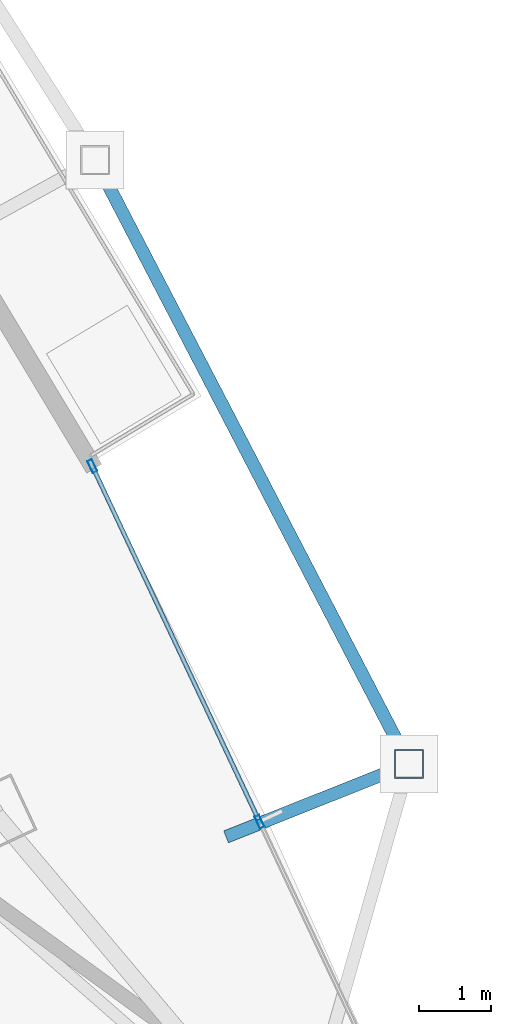
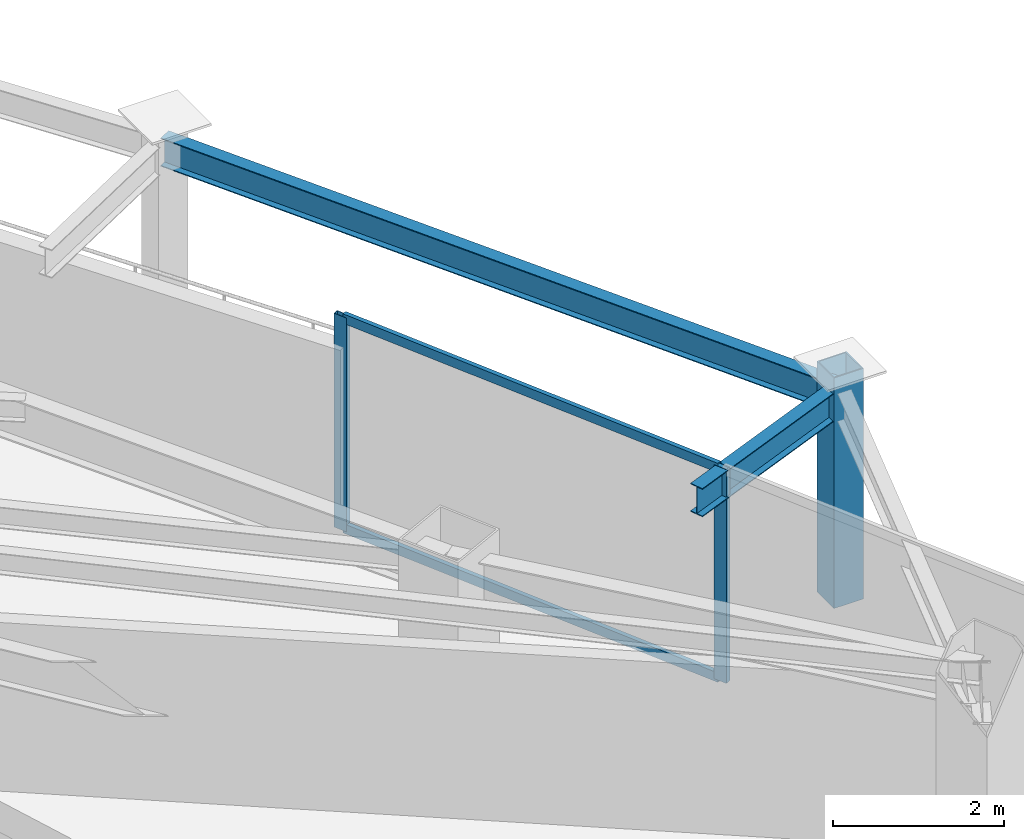
# One storey, part 16 of 29: 5 members, 2 beams, 1 element without a shape of its own.
"""IFC4 building model written with IfcOpenShell, lengths in metres."""

from ifc_helpers import new_model, si_unit, direction, frame, origin, origin_2d, place, context, subcontext, project, spatial, hollow_rectangle, i_section, extrude, material, layer, layer_set, material_profile, profile_set, type_object, element, aggregate, save


model = new_model("IFC4")

# Units and contexts
model_context = context("Model", 3, precision=1e-05, world=origin(), true_north=direction((0.0, 1.0)))
body_context = subcontext(model_context, "Body", "Model", "MODEL_VIEW")
ifc_project = project(units=[si_unit("LENGTHUNIT", "METRE"), si_unit("AREAUNIT", "SQUARE_METRE"), si_unit("VOLUMEUNIT", "CUBIC_METRE"), si_unit("PLANEANGLEUNIT", "RADIAN"), si_unit("MASSUNIT", "GRAM", prefix="KILO")], contexts=[model_context])

# Site, building, storey
site_placement = place(None, origin())
site = spatial("IfcSite", under=ifc_project, at=site_placement, CompositionType="ELEMENT")
building_placement = place(site_placement, origin())
building = spatial("IfcBuilding", under=site, at=building_placement, Name="Orvanel Arch Residences", CompositionType="ELEMENT")
storey_placement = place(building_placement, frame((0.0, 0.0, 167.14990234375)))
storey = spatial("IfcBuildingStorey", under=building, at=storey_placement, Name="L47", CompositionType="ELEMENT", Elevation=167.14990234375)

# Curtain wall, members
ifc_material_1 = material(Name="Bronze-anodised aluminium AA6063-T6", Category="aluminium")
ifc_layer = layer(ifc_material_1, 0.179931640625)
ifc_layer_set = layer_set([ifc_layer], Name="Bronze-anodised aluminium AA6063-T6")
curtain_wall_type = type_object("IfcCurtainWallType", Name="CW3-MID-SYS", PredefinedType="NOTDEFINED", material=ifc_layer_set)
curtain_wall_placement = place(storey_placement, origin())
curtain_wall = element("IfcCurtainWall", 1, at=curtain_wall_placement, inside=storey, type_object=curtain_wall_type, Name="L47 CW3-MID-SYS Unitised Curtain Wall", PredefinedType="NOTDEFINED")
ifc_material_profile_1 = material_profile(ifc_material_1, hollow_rectangle(XDim=0.070068359375, YDim=0.179931640625, WallThickness=0.00439453125, at=origin_2d()), Name="ALU180x70x4.5")
ifc_profile_set_1 = profile_set([ifc_material_profile_1], Name="Bronze-anodised aluminium AA6063-T6")
member_type_1 = type_object("IfcMemberType", Name="MUL-180x70", PredefinedType="MULLION", material=ifc_profile_set_1)
member_1_placement = place(storey_placement, frame((53.26904296875, 19.5458984375, 0.0), z_axis=(0.0, 0.0, 1.0), x_axis=(-0.904972224309, -0.42547064908, 0.0)))
member_1 = element("IfcMember", 2, at=member_1_placement, type_object=member_type_1, Name="CW-S3 mullion 2", PredefinedType="MULLION", context=body_context, shape_type="SweptSolid", body=[
    extrude(hollow_rectangle(XDim=0.070068359375, YDim=0.179931640625, WallThickness=0.00439453125, at=origin_2d()), origin(), (0.0, 0.0, 1.0), 3.06005859375),
])
member_2_placement = place(storey_placement, frame((50.9609375, 24.455322265625, 0.0), z_axis=(0.0, 0.0, 1.0), x_axis=(-0.904972224309, -0.42547064908, 0.0)))
member_2 = element("IfcMember", 3, at=member_2_placement, type_object=member_type_1, Name="CW-S3 mullion 3", PredefinedType="MULLION", context=body_context, shape_type="SweptSolid", body=[
    extrude(hollow_rectangle(XDim=0.070068359375, YDim=0.179931640625, WallThickness=0.00439453125, at=origin_2d()), origin(), (0.0, 0.0, 1.0), 3.06005859375),
])

# Beams
ifc_material_2 = material(Name="Structural steel AS/NZS 3679.1 Grade 300 (300 MPa)", Category="steel")
ifc_material_profile_2 = material_profile(ifc_material_2, i_section(OverallWidth=0.177978515625, OverallDepth=0.406005859375, WebThickness=0.0078125, FlangeThickness=0.0126953125, at=origin_2d()), Name="410UB59.7")
ifc_profile_set_2 = profile_set([ifc_material_profile_2], Name="Structural steel AS/NZS 3679.1 Grade 300 (300 MPa)")
beam_type = type_object("IfcBeamType", Name="OB-410UB-EXT", PredefinedType="SPANDREL", material=ifc_profile_set_2)
beam_1_placement = place(storey_placement, frame((52.806884765625, 19.3369140625, 2.857177734375), z_axis=(0.928854011193, 0.37044598242, 0.0), x_axis=(-0.37044598242, 0.928854011193, 0.0)))
element("IfcBeam", 4, at=beam_1_placement, inside=storey, type_object=beam_type, Name="L47 Outer Frame Radial Tie Beam 09", PredefinedType="SPANDREL", context=body_context, shape_type="SweptSolid", body=[
    extrude(i_section(OverallWidth=0.177978515625, OverallDepth=0.406005859375, WebThickness=0.0078125, FlangeThickness=0.0126953125, at=origin_2d()), origin(), (0.0, 0.0, 1.0), 2.718505859375),
])
beam_2_placement = place(storey_placement, frame((55.33203125, 20.343994140625, 2.857177734375), z_axis=(-0.461090836527, 0.887352940194, 0.0), x_axis=(-0.887352940194, -0.461090836527, 0.0)))
element("IfcBeam", 5, at=beam_2_placement, inside=storey, type_object=beam_type, Name="L47 Outer Perimeter Floor Ring Beam 09", PredefinedType="SPANDREL", context=body_context, shape_type="SweptSolid", body=[
    extrude(i_section(OverallWidth=0.177978515625, OverallDepth=0.406005859375, WebThickness=0.0078125, FlangeThickness=0.0126953125, at=origin_2d()), origin(), (0.0, 0.0, 1.0), 9.39306640625),
])

# Member
ifc_material_3 = material(Name="Structural steel AS/NZS 1163 C450L0 (Grade 450)", Category="steel")
ifc_material_profile_3 = material_profile(ifc_material_3, hollow_rectangle(XDim=0.39990234375, YDim=0.39990234375, WallThickness=0.01611328125, at=origin_2d()), Name="SHS400x400x16")
ifc_profile_set_3 = profile_set([ifc_material_profile_3], Name="Structural steel AS/NZS 1163 C450L0 (Grade 450)")
member_type_2 = type_object("IfcMemberType", Name="ST-400SHS-EXT", PredefinedType="STRUT", material=ifc_profile_set_3)
member_3_placement = place(storey_placement, frame((55.33203125, 20.343994140625, 0.0), z_axis=(0.0, 0.0, 1.0), x_axis=(1.0, 0.0, 0.0)))
element("IfcMember", 6, at=member_3_placement, inside=storey, type_object=member_type_2, Name="L47 Outer Perimeter Frame Post 09", PredefinedType="STRUT", context=body_context, shape_type="SweptSolid", body=[
    extrude(hollow_rectangle(XDim=0.39990234375, YDim=0.39990234375, WallThickness=0.01611328125, at=origin_2d()), origin(), (0.0, 0.0, 1.0), 3.300048828125),
])

ifc_material_profile_4 = material_profile(ifc_material_1, hollow_rectangle(XDim=0.06005859375, YDim=0.135009765625, WallThickness=0.00390625, at=origin_2d()), Name="ALU135x60x4")
ifc_profile_set_4 = profile_set([ifc_material_profile_4], Name="Bronze-anodised aluminium AA6063-T6")
member_type_3 = type_object("IfcMemberType", Name="TRN-135x60", PredefinedType="USERDEFINED", material=ifc_profile_set_4)
member_4_placement = place(storey_placement, frame((53.254150390625, 19.57763671875, 0.030029296875), z_axis=(-0.425472047127, 0.904971567019, 0.0), x_axis=(-0.904971567019, -0.425472047127, 0.0)))
member_4 = element("IfcMember", 7, at=member_4_placement, type_object=member_type_3, Name="CW-S3 transom 2.1", ObjectType="TRANSOM", PredefinedType="USERDEFINED", context=body_context, shape_type="SweptSolid", body=[
    extrude(hollow_rectangle(XDim=0.06005859375, YDim=0.135009765625, WallThickness=0.00390625, at=origin_2d()), origin(), (0.0, 0.0, 1.0), 5.354736328125),
])

member_5_placement = place(storey_placement, frame((53.254150390625, 19.57763671875, 3.030029296875), z_axis=(-0.425472047127, 0.904971567019, 0.0), x_axis=(-0.904971567019, -0.425472047127, 0.0)))
member_5 = element("IfcMember", 8, at=member_5_placement, type_object=member_type_3, Name="CW-S3 transom 2.2", ObjectType="TRANSOM", PredefinedType="USERDEFINED", context=body_context, shape_type="SweptSolid", body=[
    extrude(hollow_rectangle(XDim=0.06005859375, YDim=0.135009765625, WallThickness=0.00390625, at=origin_2d()), origin(), (0.0, 0.0, 1.0), 5.354736328125),
])

aggregate(curtain_wall, [member_1, member_2, member_4, member_5])

save(model, "model.ifc")
